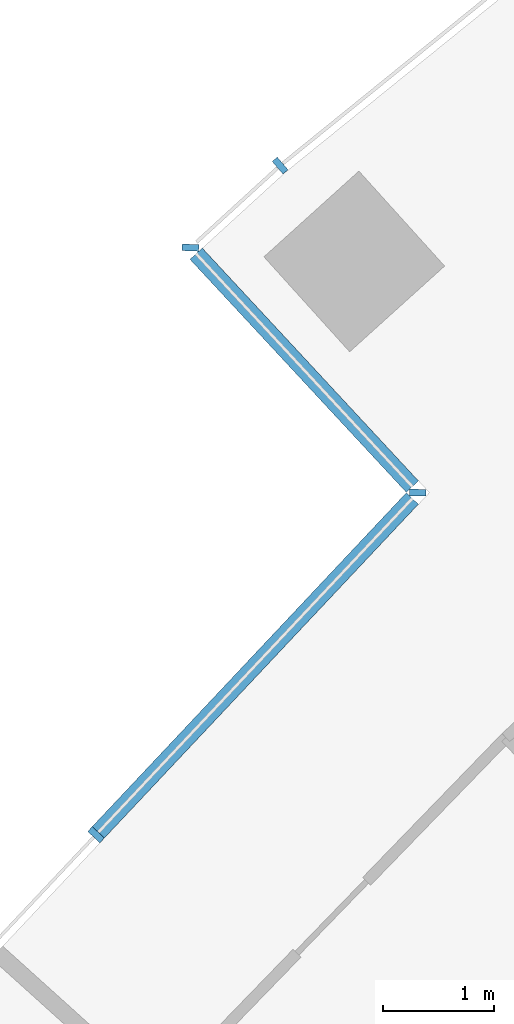
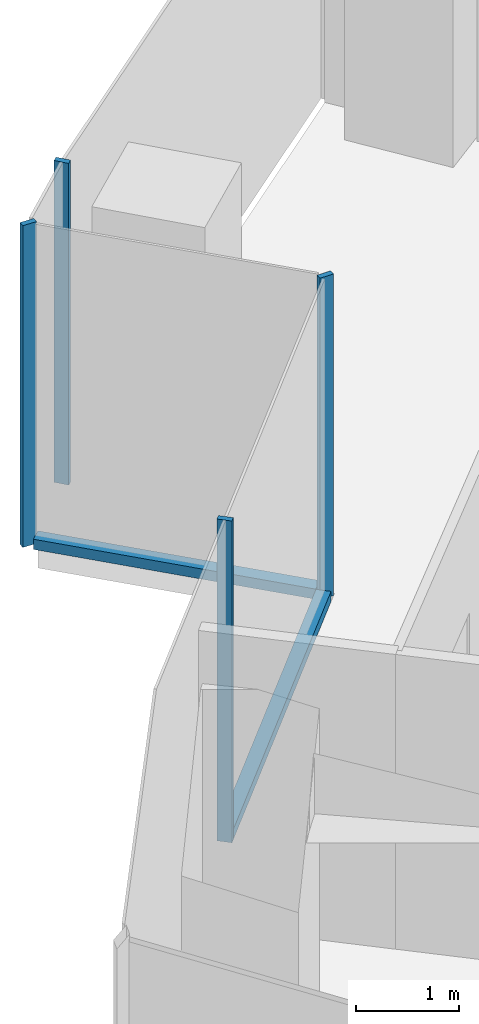
# One storey, part 3 of 20: 6 members, 3 elements without a shape of their own.
"""IFC4 building model written with IfcOpenShell, lengths in metres."""

from ifc_helpers import new_model, si_unit, direction, frame, origin, origin_2d, place, context, subcontext, project, spatial, rectangle, extrude, material, layer, layer_set, material_profile, profile_set, type_object, element, aggregate, save


model = new_model("IFC4")

# Units and contexts
model_context = context("Model", 3, precision=1e-05, world=origin(), true_north=direction((0.0, 1.0)))
body_context = subcontext(model_context, "Body", "Model", "MODEL_VIEW")
ifc_project = project(units=[si_unit("LENGTHUNIT", "METRE"), si_unit("AREAUNIT", "SQUARE_METRE"), si_unit("VOLUMEUNIT", "CUBIC_METRE"), si_unit("PLANEANGLEUNIT", "RADIAN"), si_unit("MASSUNIT", "GRAM", prefix="KILO")], contexts=[model_context])

# Site, building, storey
site_placement = place(None, origin())
site = spatial("IfcSite", under=ifc_project, at=site_placement, CompositionType="ELEMENT")
building_placement = place(site_placement, origin())
building = spatial("IfcBuilding", under=site, at=building_placement, Name="Stone Belt Terrace Tower", CompositionType="ELEMENT")
storey_placement = place(building_placement, frame((0.0, 0.0, 106.0)))
storey = spatial("IfcBuildingStorey", under=building, at=storey_placement, Name="L25", CompositionType="ELEMENT", Elevation=106.0)

# Curtain wall, member
ifc_material = material(Name="Aluminium 6063-T6 anodised frame", Category="aluminium")
ifc_layer_1 = layer(ifc_material, 0.14990234375)
ifc_layer_set_1 = layer_set([ifc_layer_1], Name="CW-A unitised convex-face curtain wall")
curtain_wall_type_1 = type_object("IfcCurtainWallType", Name="CW-A unitised convex-face curtain wall", PredefinedType="NOTDEFINED", material=ifc_layer_set_1)
curtain_wall_1_placement = place(storey_placement, origin())
curtain_wall_1 = element("IfcCurtainWall", 1, at=curtain_wall_1_placement, inside=storey, type_object=curtain_wall_type_1, Name="CW-A convex face L25", PredefinedType="NOTDEFINED")
ifc_material_profile_1 = material_profile(ifc_material, rectangle(XDim=0.14990234375, YDim=0.06005859375, at=origin_2d()), Name="Aluminium 6063-T6 60x150")
ifc_profile_set_1 = profile_set([ifc_material_profile_1], Name="Aluminium 6063-T6 anodised frame")
member_type_1 = type_object("IfcMemberType", Name="CW-A mullion 60 x 150", PredefinedType="MULLION", material=ifc_profile_set_1)
member_1_placement = place(storey_placement, frame((-44.546142578125, 49.47607421875, 0.0), z_axis=(0.0, 0.0, 1.0), x_axis=(0.652344213157, -0.757922837471, 0.0)))
member_1 = element("IfcMember", 2, at=member_1_placement, type_object=member_type_1, Name="CW-A mullion 17", PredefinedType="MULLION", context=body_context, shape_type="SweptSolid", body=[
    extrude(rectangle(XDim=0.14990234375, YDim=0.06005859375, at=origin_2d()), origin(), (0.0, 0.0, 1.0), 3.800048828125),
])
aggregate(curtain_wall_1, [member_1])

ifc_layer_2 = layer(ifc_material, 0.14990234375)
ifc_layer_set_2 = layer_set([ifc_layer_2], Name="CW-C stick curtain wall, horn ends and notches")
curtain_wall_type_2 = type_object("IfcCurtainWallType", Name="CW-C stick curtain wall, horn ends and notches", PredefinedType="NOTDEFINED", material=ifc_layer_set_2)
curtain_wall_2_placement = place(storey_placement, origin())
curtain_wall_2 = element("IfcCurtainWall", 3, at=curtain_wall_2_placement, inside=storey, type_object=curtain_wall_type_2, Name="CW-C notch face L25", PredefinedType="NOTDEFINED")
ifc_material_profile_2 = material_profile(ifc_material, rectangle(XDim=0.14990234375, YDim=0.06005859375, at=origin_2d()), Name="Aluminium 6063-T6 60x150")
ifc_profile_set_2 = profile_set([ifc_material_profile_2], Name="Aluminium 6063-T6 anodised frame")
member_type_2 = type_object("IfcMemberType", Name="CW-C mullion 60 x 150", PredefinedType="MULLION", material=ifc_profile_set_2)
member_2_placement = place(storey_placement, frame((-45.3525390625, 48.73876953125, 0.0), z_axis=(0.0, 0.0, 1.0), x_axis=(0.999163094932, -0.040903663964, 0.0)))
member_2 = element("IfcMember", 4, at=member_2_placement, type_object=member_type_2, Name="CW-C mullion 1", PredefinedType="MULLION", context=body_context, shape_type="SweptSolid", body=[
    extrude(rectangle(XDim=0.14990234375, YDim=0.06005859375, at=origin_2d()), origin(), (0.0, 0.0, 1.0), 3.800048828125),
])

# Curtain wall, members
curtain_wall_3_placement = place(storey_placement, origin())
curtain_wall_3 = element("IfcCurtainWall", 5, at=curtain_wall_3_placement, inside=storey, type_object=curtain_wall_type_2, Name="CW-C notch face L25", PredefinedType="NOTDEFINED")
member_3_placement = place(storey_placement, frame((-43.3076171875, 46.5361328125, 0.0), z_axis=(0.0, 0.0, 1.0), x_axis=(0.999994668066, -0.003265553363, 0.0)))
member_3 = element("IfcMember", 6, at=member_3_placement, type_object=member_type_2, Name="CW-C mullion 1", PredefinedType="MULLION", context=body_context, shape_type="SweptSolid", body=[
    extrude(rectangle(XDim=0.14990234375, YDim=0.06005859375, at=origin_2d()), origin(), (0.0, 0.0, 1.0), 3.800048828125),
])
member_4_placement = place(storey_placement, frame((-46.201416015625, 43.459716796875, 0.0), z_axis=(0.0, 0.0, 1.0), x_axis=(0.728388623646, -0.685164223338, 0.0)))
member_4 = element("IfcMember", 7, at=member_4_placement, type_object=member_type_2, Name="CW-C mullion 2", PredefinedType="MULLION", context=body_context, shape_type="SweptSolid", body=[
    extrude(rectangle(XDim=0.14990234375, YDim=0.06005859375, at=origin_2d()), origin(), (0.0, 0.0, 1.0), 3.800048828125),
])

# Member
ifc_material_profile_3 = material_profile(ifc_material, rectangle(XDim=0.14990234375, YDim=0.1201171875, at=origin_2d()), Name="Aluminium 6063-T6 150x120")
ifc_profile_set_3 = profile_set([ifc_material_profile_3], Name="Aluminium 6063-T6 anodised frame")
member_type_3 = type_object("IfcMemberType", Name="CW-C transom 120 x 150", PredefinedType="USERDEFINED", material=ifc_profile_set_3)
member_5_placement = place(storey_placement, frame((-45.302001953125, 48.684326171875, 0.06005859375), z_axis=(0.680395396826, -0.732845211472, 0.0), x_axis=(0.732845211472, 0.680395396826, 0.0)))
member_5 = element("IfcMember", 8, at=member_5_placement, type_object=member_type_3, Name="CW-C transom 1.1", ObjectType="TRANSOM", PredefinedType="USERDEFINED", context=body_context, shape_type="SweptSolid", body=[
    extrude(rectangle(XDim=0.14990234375, YDim=0.1201171875, at=origin_2d()), origin(), (0.0, 0.0, 1.0), 2.85791015625),
])

aggregate(curtain_wall_2, [member_2, member_5])

member_6_placement = place(storey_placement, frame((-43.357666015625, 46.48291015625, 0.06005859375), z_axis=(-0.685179856949, -0.728373917457, 0.0), x_axis=(0.728373917457, -0.685179856949, 0.0)))
member_6 = element("IfcMember", 9, at=member_6_placement, type_object=member_type_3, Name="CW-C transom 1.1", ObjectType="TRANSOM", PredefinedType="USERDEFINED", context=body_context, shape_type="SweptSolid", body=[
    extrude(rectangle(XDim=0.14990234375, YDim=0.1201171875, at=origin_2d()), origin(), (0.0, 0.0, 1.0), 4.120361328125),
])

aggregate(curtain_wall_3, [member_3, member_4, member_6])

save(model, "model.ifc")
